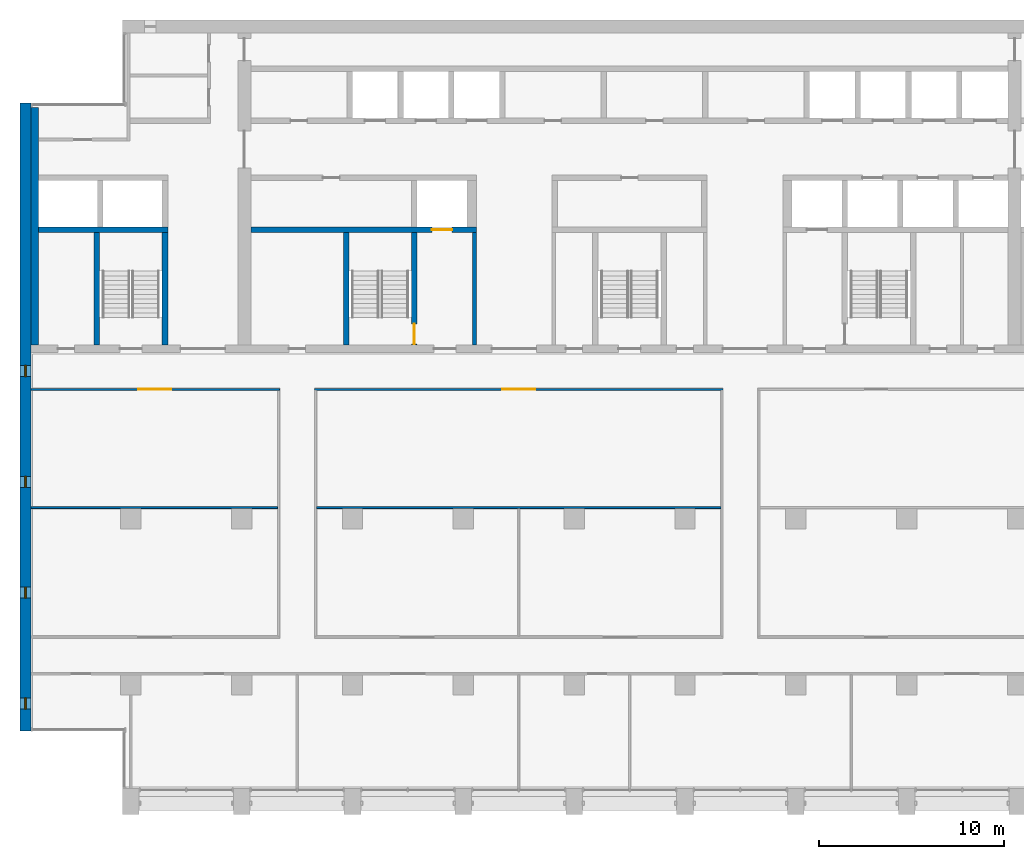
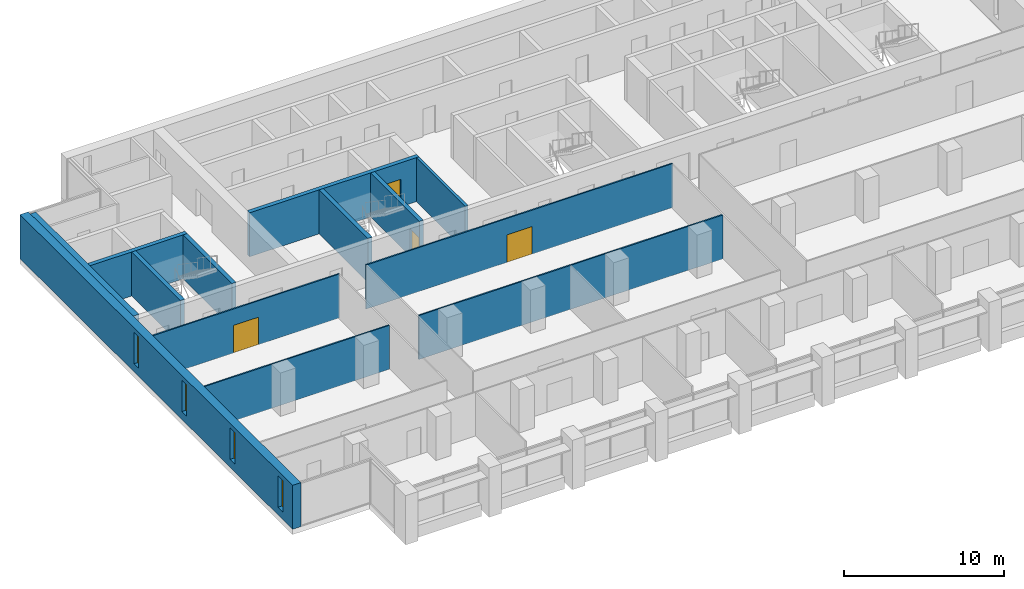
# One storey, part 8 of 17: 13 walls, 4 doors, 4 windows, 8 openings.
"""IFC4 building model written with IfcOpenShell, lengths in metres."""

import ifcopenshell
import ifcopenshell.guid

model = None  # the IFC model being written
_history = None  # IfcOwnerHistory: only IFC2X3 demands one
_inside = {}  # id of a spatial element -> (the spatial element, [elements in it])
_under = {}  # id of a project, library or spatial element -> (it, [spatial elements below it])
_declared = {}  # id of a project -> (the project, [libraries it declares])
_typed = {}  # id of a type object -> (the type object, [elements of that type])
_made_of = {}  # id of a material, layer set ... -> (it, [elements and type objects made of it])


def new_model(schema):
    """Start an empty IFC model of exactly this schema.

    Asked for "IFC4X3", IfcOpenShell would pick the latest addendum, in which some entities
    have other attributes; the version numbers below select the first issue.
    IFC2X3 requires an IfcOwnerHistory on every rooted entity: one is made here for all.
    """
    global model, _history
    if schema == "IFC4X3":
        model = ifcopenshell.file(schema_version=(4, 3, 0, 0))
    else:
        model = ifcopenshell.file(schema=schema)
    _inside.clear()
    _under.clear()
    _declared.clear()
    _typed.clear()
    _made_of.clear()
    _history = None
    if model.schema == "IFC2X3":
        org = make("IfcOrganization", Name="unknown")
        user = make(
            "IfcPersonAndOrganization",
            ThePerson=make("IfcPerson", FamilyName="unknown"),
            TheOrganization=org,
        )
        app = make(
            "IfcApplication",
            ApplicationDeveloper=org,
            Version="unknown",
            ApplicationFullName="unknown",
            ApplicationIdentifier="unknown",
        )
        _history = make(
            "IfcOwnerHistory",
            OwningUser=user,
            OwningApplication=app,
            ChangeAction="ADDED",
            CreationDate=0,
        )
    return model


def make(cls, **values):
    """One entity of the class cls with the attributes given. An attribute that is None is left unset."""
    return model.create_entity(
        cls, **{name: value for name, value in values.items() if value is not None}
    )


def rooted(cls, **values):
    """An entity with a GlobalId (a new one), such as an element, a storey or a relation."""
    return make(cls, GlobalId=ifcopenshell.guid.new(), OwnerHistory=_history, **values)


def si_unit(unit_type, name, prefix=None):
    """IfcSIUnit, for example si_unit("LENGTHUNIT", "METRE", prefix="MILLI")."""
    return make("IfcSIUnit", UnitType=unit_type, Prefix=prefix, Name=name)


def assignment(units):
    """IfcUnitAssignment: the units of a project."""
    return None if units is None else make("IfcUnitAssignment", Units=units)


def point(xyz):
    """IfcCartesianPoint."""
    return None if xyz is None else make("IfcCartesianPoint", Coordinates=xyz)


def direction(xyz):
    """IfcDirection."""
    return None if xyz is None else make("IfcDirection", DirectionRatios=xyz)


def frame(location, z_axis=None, x_axis=None):
    """IfcAxis2Placement3D, a coordinate frame: its origin and axes. An axis left out is left unset."""
    return make(
        "IfcAxis2Placement3D",
        Location=point(location),
        Axis=direction(z_axis),
        RefDirection=direction(x_axis),
    )


def frame_2d(location, x_axis=None):
    """IfcAxis2Placement2D, a coordinate frame in the plane: its origin and x axis."""
    return make(
        "IfcAxis2Placement2D", Location=point(location), RefDirection=direction(x_axis)
    )


def origin():
    """The frame at (0, 0, 0) with its axes left unset."""
    return frame((0.0, 0.0, 0.0))


def place(relative_to, where):
    """IfcLocalPlacement: puts the frame where relative to a parent placement (None: the world)."""
    return make(
        "IfcLocalPlacement", PlacementRelTo=relative_to, RelativePlacement=where
    )


def context(
    kind, dimensions, precision=None, world=None, true_north=None, identifier=None
):
    """IfcGeometricRepresentationContext, for example the 3D "Model" context."""
    return make(
        "IfcGeometricRepresentationContext",
        ContextIdentifier=identifier,
        ContextType=kind,
        CoordinateSpaceDimension=dimensions,
        Precision=precision,
        WorldCoordinateSystem=world,
        TrueNorth=true_north,
    )


def subcontext(parent, identifier, kind, view, scale=None):
    """IfcGeometricRepresentationSubContext, for example "Body" below "Model"."""
    return make(
        "IfcGeometricRepresentationSubContext",
        ContextIdentifier=identifier,
        ContextType=kind,
        ParentContext=parent,
        TargetScale=scale,
        TargetView=view,
    )


def project(units=None, contexts=None):
    """IfcProject with its units and contexts."""
    return rooted(
        "IfcProject",
        Name="project",
        RepresentationContexts=contexts,
        UnitsInContext=assignment(units),
    )


def spatial(cls, under=None, at=None, **own):
    """A site, building, storey or space (cls), placed at a placement, below another one or the project."""
    s = rooted(cls, ObjectPlacement=at, **own)
    if under is not None:
        _under.setdefault(under.id(), (under, []))[1].append(s)
    return s


def profile(cls, at=None, kind="AREA", **sizes):
    """A parametric profile (cls). Its sizes go by their IFC names, for example OverallWidth=200.0."""
    return make(cls, ProfileType=kind, Position=at, **sizes)


def rectangle(**sizes):
    """IfcRectangleProfileDef."""
    return profile("IfcRectangleProfileDef", **sizes)


def extrude(swept, where, along, depth):
    """IfcExtrudedAreaSolid: the profile swept, set in the frame where, extruded along a direction by depth."""
    return make(
        "IfcExtrudedAreaSolid",
        SweptArea=swept,
        Position=where,
        ExtrudedDirection=direction(along),
        Depth=depth,
    )


def shape(context_of_items, identifier, shape_type, items):
    """IfcShapeRepresentation: the items that make up one representation, for example the "Body"."""
    return make(
        "IfcShapeRepresentation",
        ContextOfItems=context_of_items,
        RepresentationIdentifier=identifier,
        RepresentationType=shape_type,
        Items=items,
    )


def material(Name=None, Category=None):
    """IfcMaterial."""
    return make("IfcMaterial", Name=Name, Category=Category)


def layer(
    of_material, thickness, ventilated=None, Name=None, Category=None, Priority=None
):
    """IfcMaterialLayer: one layer of a wall or slab, of a material (None: an air gap)."""
    return make(
        "IfcMaterialLayer",
        Material=of_material,
        LayerThickness=thickness,
        IsVentilated=ventilated,
        Name=Name,
        Category=Category,
        Priority=Priority,
    )


def layer_set(layers, Name=None):
    """IfcMaterialLayerSet."""
    return make("IfcMaterialLayerSet", MaterialLayers=layers, LayerSetName=Name)


def made_of(thing, what):
    """Note that an element or type object is made of a material, layer set ...; save() writes the relation."""
    if what is not None:
        _made_of.setdefault(what.id(), (what, []))[1].append(thing)
    return thing


def type_object(cls, material=None, **own):
    """A type object (cls), such as IfcWallType, which elements share."""
    return made_of(rooted(cls, **own), material)


def element(
    cls,
    number,
    at=None,
    inside=None,
    cuts=None,
    type_object=None,
    material=None,
    context=None,
    identifier="Body",
    shape_type=None,
    held_by="IfcProductDefinitionShape",
    body=None,
    shapes=None,
    **own,
):
    """One element of the class cls, such as IfcWall. Its Tag is "e" and its number.

    at: its placement. inside: the storey or other place that contains it. cuts: it is an
    opening in that element (IfcRelVoidsElement). A single representation is given by context,
    identifier, shape_type and body (its items); several are given by shapes. held_by: the class
    of the entity that holds the representations. save() writes the other relations.
    """
    e = rooted(cls, Tag="e%d" % number, ObjectPlacement=at, **own)
    if body is not None:
        shapes = [shape(context, identifier, shape_type, body)]
    if shapes is not None:
        e.Representation = make(held_by, Representations=shapes)
    if inside is not None:
        _inside.setdefault(inside.id(), (inside, []))[1].append(e)
    if cuts is not None:
        rooted(
            "IfcRelVoidsElement", RelatingBuildingElement=cuts, RelatedOpeningElement=e
        )
    if type_object is not None:
        _typed.setdefault(type_object.id(), (type_object, []))[1].append(e)
    return made_of(e, material)


def fill(opening, filler):
    """IfcRelFillsElement: the door or window that sits in an opening."""
    return rooted(
        "IfcRelFillsElement",
        RelatingOpeningElement=opening,
        RelatedBuildingElement=filler,
    )


def aggregate(whole, parts):
    """IfcRelAggregates: a whole, such as a stair, and the parts it consists of."""
    return rooted("IfcRelAggregates", RelatingObject=whole, RelatedObjects=parts)


def save(model, path):
    """Write the relations noted so far, then the file.

    IfcRelAggregates (storeys below a building ...), IfcRelContainedInSpatialStructure (elements
    in a storey), IfcRelDefinesByType, IfcRelAssociatesMaterial and IfcRelDeclares: one each for
    every whole, place, type object, material and project.
    """
    for whole, parts in _under.values():
        aggregate(whole, parts)
    for where, things in _inside.values():
        rooted(
            "IfcRelContainedInSpatialStructure",
            RelatedElements=things,
            RelatingStructure=where,
        )
    for kind, things in _typed.values():
        rooted("IfcRelDefinesByType", RelatedObjects=things, RelatingType=kind)
    for what, things in _made_of.values():
        rooted("IfcRelAssociatesMaterial", RelatedObjects=things, RelatingMaterial=what)
    for by, libraries in _declared.values():
        rooted("IfcRelDeclares", RelatingContext=by, RelatedDefinitions=libraries)
    model.write(path)


model = new_model("IFC4")

# Units and contexts
model_context = context("Model", 3, precision=1e-05, world=origin(), true_north=direction((0.0, 1.0)))
body_context = subcontext(model_context, "Body", "Model", "MODEL_VIEW")
ifc_project = project(units=[si_unit("LENGTHUNIT", "METRE"), si_unit("AREAUNIT", "SQUARE_METRE"), si_unit("VOLUMEUNIT", "CUBIC_METRE"), si_unit("PLANEANGLEUNIT", "RADIAN"), si_unit("MASSUNIT", "GRAM", prefix="KILO")], contexts=[model_context])

# Site, building, storey
site_placement = place(None, origin())
site = spatial("IfcSite", under=ifc_project, at=site_placement, CompositionType="ELEMENT")
building_placement = place(site_placement, origin())
building = spatial("IfcBuilding", under=site, at=building_placement, Name="Calvaro Tower", CompositionType="ELEMENT")
storey_placement = place(building_placement, frame((0.0, 0.0, 196.75)))
storey = spatial("IfcBuildingStorey", under=building, at=storey_placement, Name="L49", CompositionType="ELEMENT", Elevation=196.75)

# Walls
ifc_material_1 = material(Name="Blockwork partition", Category="masonry")
ifc_layer_1 = layer(ifc_material_1, 0.199951171875)
ifc_layer_set_1 = layer_set([ifc_layer_1], Name="Blockwork partition")
wall_type_1 = type_object("IfcWallType", Name="Core partition 200 REI 120", PredefinedType="PARTITIONING", material=ifc_layer_set_1)
wall_1_placement = place(storey_placement, frame((30.60009765625, 28.39990234375, 0.0), z_axis=(0.0, 0.0, 1.0), x_axis=(0.0, 1.0, 0.0)))
element("IfcWall", 1, at=wall_1_placement, inside=storey, type_object=wall_type_1, Name="Core partition", PredefinedType="PARTITIONING", context=body_context, shape_type="SweptSolid", body=[
    extrude(rectangle(XDim=6.10009765625, YDim=0.199951171875, at=frame_2d((3.050048828125, 0.0))), origin(), (0.0, 0.0, 1.0), 3.35009765625),
])
ifc_material_2 = material(Name="Concrete C50/60", Category="concrete")
ifc_layer_2 = layer(ifc_material_2, 0.300048828125)
ifc_layer_set_2 = layer_set([ifc_layer_2], Name="Concrete C50/60")
wall_type_2 = type_object("IfcWallType", Name="Core wall C50/60 300", PredefinedType="SHEAR", material=ifc_layer_set_2)
for number, where, z_axis, x_axis, name in (
    (2, (10.14990234375, 28.39990234375, 0.0), (0.0, 0.0, 1.0), (0.0, 1.0, 0.0), "Core wall, stair enclosure"),
    (3, (13.85009765625, 28.39990234375, 0.0), (0.0, 0.0, 1.0), (0.0, 1.0, 0.0), "Core wall, stair enclosure"),
    (4, (23.64990234375, 28.39990234375, 0.0), (0.0, 0.0, 1.0), (0.0, 1.0, 0.0), "Core wall, stair enclosure"),
):
    element("IfcWall", number, at=place(storey_placement, frame(where, z_axis=z_axis, x_axis=x_axis)), inside=storey, type_object=wall_type_2, Name=name, PredefinedType="SHEAR", context=body_context, shape_type="SweptSolid", body=[
        extrude(rectangle(XDim=6.10009765625, YDim=0.300048828125, at=frame_2d((3.050048828125, 0.0))), origin(), (0.0, 0.0, 1.0), 3.35009765625),
    ])

# Wall, opening, door
wall_2_placement = place(storey_placement, frame((27.35009765625, 28.39990234375, 0.0), z_axis=(0.0, 0.0, 1.0), x_axis=(0.0, 1.0, 0.0)))
wall_2 = element("IfcWall", 5, at=wall_2_placement, inside=storey, type_object=wall_type_2, Name="Core wall, stair enclosure", PredefinedType="SHEAR", context=body_context, shape_type="SweptSolid", body=[
    extrude(rectangle(XDim=6.10009765625, YDim=0.300048828125, at=frame_2d((3.050048828125, 0.0))), origin(), (0.0, 0.0, 1.0), 3.35009765625),
])
opening_1_placement = place(wall_2_placement, frame((0.050048828125, 0.0, 0.0)))
opening_1 = element("IfcOpeningElement", 6, at=opening_1_placement, cuts=wall_2, Name="Opening FD11D", PredefinedType="OPENING", context=body_context, shape_type="SweptSolid", body=[
    extrude(rectangle(XDim=1.10009765625, YDim=2.10009765625, at=frame_2d((0.550048828125, 1.050048828125))), frame((0.0, 0.159912109375, 0.0), z_axis=(0.0, -1.0, 0.0), x_axis=(1.0, 0.0, 0.0)), (0.0, 0.0, 1.0), 0.320068359375),
])
ifc_material_3 = material(Name="Steel door set", Category="steel")
door_type_1 = type_object("IfcDoorType", Name="Fire door 1100 FD30S", OperationType="SINGLE_SWING_LEFT", PredefinedType="DOOR", material=ifc_material_3)
door_1_placement = place(opening_1_placement, origin())
door_1 = element("IfcDoor", 7, at=door_1_placement, inside=storey, type_object=door_type_1, Name="Fire door", OperationType="SINGLE_SWING_LEFT", OverallHeight=2.10009765625, OverallWidth=1.10009765625, PredefinedType="DOOR", context=body_context, shape_type="SweptSolid", body=[
    extrude(rectangle(XDim=1.10009765625, YDim=2.10009765625, at=frame_2d((0.550048828125, 1.050048828125))), frame((0.0, 0.02490234375, 0.0), z_axis=(0.0, -1.0, 0.0), x_axis=(1.0, 0.0, 0.0)), (0.0, 0.0, 1.0), 0.050048828125),
])
fill(opening_1, door_1)

# Wall
wall_3_placement = place(storey_placement, frame((7.0, 34.64990234375, 0.0), z_axis=(0.0, 0.0, 1.0), x_axis=(1.0, 0.0, 0.0)))
element("IfcWall", 8, at=wall_3_placement, inside=storey, type_object=wall_type_2, Name="Core wall, lift shaft", PredefinedType="SHEAR", context=body_context, shape_type="SweptSolid", body=[
    extrude(rectangle(XDim=7.0, YDim=0.300048828125, at=frame_2d((3.5, 0.0))), origin(), (0.0, 0.0, 1.0), 3.35009765625),
])

# Wall, opening, door
wall_4_placement = place(storey_placement, frame((18.5, 34.64990234375, 0.0), z_axis=(0.0, 0.0, 1.0), x_axis=(1.0, 0.0, 0.0)))
wall_4 = element("IfcWall", 9, at=wall_4_placement, inside=storey, type_object=wall_type_2, Name="Core wall, lift shaft", PredefinedType="SHEAR", context=body_context, shape_type="SweptSolid", body=[
    extrude(rectangle(XDim=12.199951171875, YDim=0.300048828125, at=frame_2d((6.10009765625, 0.0))), origin(), (0.0, 0.0, 1.0), 3.35009765625),
])
opening_2_placement = place(wall_4_placement, frame((9.800048828125, 0.0, 0.0)))
opening_2 = element("IfcOpeningElement", 10, at=opening_2_placement, cuts=wall_4, Name="Opening FF1", PredefinedType="OPENING", context=body_context, shape_type="SweptSolid", body=[
    extrude(rectangle(XDim=1.10009765625, YDim=2.10009765625, at=frame_2d((0.550048828125, 1.050048828125))), frame((0.0, 0.159912109375, 0.0), z_axis=(0.0, -1.0, 0.0), x_axis=(1.0, 0.0, 0.0)), (0.0, 0.0, 1.0), 0.320068359375),
])
ifc_material_4 = material(Name="Stainless steel", Category="steel")
door_type_2 = type_object("IfcDoorType", Name="Landing door 1100 E 60", OperationType="SLIDING_TO_LEFT", PredefinedType="DOOR", material=ifc_material_4)
door_2_placement = place(opening_2_placement, origin())
door_2 = element("IfcDoor", 11, at=door_2_placement, inside=storey, type_object=door_type_2, Name="Landing door FF1", OperationType="SLIDING_TO_LEFT", OverallHeight=2.10009765625, OverallWidth=1.10009765625, PredefinedType="DOOR", context=body_context, shape_type="SweptSolid", body=[
    extrude(rectangle(XDim=1.10009765625, YDim=2.10009765625, at=frame_2d((0.550048828125, 1.050048828125))), frame((0.0, 0.02490234375, 0.0), z_axis=(0.0, -1.0, 0.0), x_axis=(1.0, 0.0, 0.0)), (0.0, 0.0, 1.0), 0.050048828125),
])
fill(opening_2, door_2)

# Wall
ifc_material_5 = material(Name="Concrete C50/60", Category="concrete")
ifc_layer_3 = layer(ifc_material_5, 0.39990234375)
ifc_layer_set_3 = layer_set([ifc_layer_3], Name="Concrete C50/60")
wall_type_3 = type_object("IfcWallType", Name="Core wall C50/60 400", PredefinedType="SHEAR", material=ifc_layer_set_3)
wall_5_placement = place(storey_placement, frame((6.800048828125, 28.39990234375, 0.0), z_axis=(0.0, 0.0, 1.0), x_axis=(0.0, 1.0, 0.0)))
element("IfcWall", 12, at=wall_5_placement, inside=storey, type_object=wall_type_3, Name="Core wall, boundary", PredefinedType="SHEAR", context=body_context, shape_type="SweptSolid", body=[
    extrude(rectangle(XDim=12.85009765625, YDim=0.39990234375, at=frame_2d((6.425048828125, 0.0))), origin(), (0.0, 0.0, 1.0), 3.35009765625),
])

# Wall, openings, windows
ifc_material_6 = material(Name="Concrete C50/60", Category="concrete")
ifc_layer_4 = layer(ifc_material_6, 0.60009765625)
ifc_layer_set_4 = layer_set([ifc_layer_4], Name="Concrete C50/60")
wall_type_4 = type_object("IfcWallType", Name="End wall 600 C50/60", PredefinedType="SHEAR", material=ifc_layer_set_4)
wall_6_placement = place(storey_placement, frame((6.300048828125, 7.5, 0.0), z_axis=(0.0, 0.0, 1.0), x_axis=(0.0, 1.0, 0.0)))
wall_6 = element("IfcWall", 13, at=wall_6_placement, inside=storey, type_object=wall_type_4, Name="End shear wall", PredefinedType="SHEAR", context=body_context, shape_type="SweptSolid", body=[
    extrude(rectangle(XDim=34.0, YDim=0.60009765625, at=frame_2d((17.0, 0.0))), origin(), (0.0, 0.0, 1.0), 3.35009765625),
])
opening_3_placement = place(wall_6_placement, frame((1.199951171875, 0.0, 0.60009765625)))
opening_3 = element("IfcOpeningElement", 14, at=opening_3_placement, cuts=wall_6, Name="Opening WW01", PredefinedType="OPENING", context=body_context, shape_type="SweptSolid", body=[
    extrude(rectangle(XDim=0.60009765625, YDim=2.39990234375, at=frame_2d((0.300048828125, 1.199951171875))), frame((0.0, 0.31005859375, 0.0), z_axis=(0.0, -1.0, 0.0), x_axis=(1.0, 0.0, 0.0)), (0.0, 0.0, 1.0), 0.6201171875),
])
opening_4_placement = place(wall_6_placement, frame((7.199951171875, 0.0, 0.60009765625)))
opening_4 = element("IfcOpeningElement", 15, at=opening_4_placement, cuts=wall_6, Name="Opening WW02", PredefinedType="OPENING", context=body_context, shape_type="SweptSolid", body=[
    extrude(rectangle(XDim=0.60009765625, YDim=2.39990234375, at=frame_2d((0.300048828125, 1.199951171875))), frame((0.0, 0.31005859375, 0.0), z_axis=(0.0, -1.0, 0.0), x_axis=(1.0, 0.0, 0.0)), (0.0, 0.0, 1.0), 0.6201171875),
])
opening_5_placement = place(wall_6_placement, frame((13.199951171875, 0.0, 0.60009765625)))
opening_5 = element("IfcOpeningElement", 16, at=opening_5_placement, cuts=wall_6, Name="Opening WW03", PredefinedType="OPENING", context=body_context, shape_type="SweptSolid", body=[
    extrude(rectangle(XDim=0.60009765625, YDim=2.39990234375, at=frame_2d((0.300048828125, 1.199951171875))), frame((0.0, 0.31005859375, 0.0), z_axis=(0.0, -1.0, 0.0), x_axis=(1.0, 0.0, 0.0)), (0.0, 0.0, 1.0), 0.6201171875),
])
opening_6_placement = place(wall_6_placement, frame((19.199951171875, 0.0, 0.60009765625)))
opening_6 = element("IfcOpeningElement", 17, at=opening_6_placement, cuts=wall_6, Name="Opening WW04", PredefinedType="OPENING", context=body_context, shape_type="SweptSolid", body=[
    extrude(rectangle(XDim=0.60009765625, YDim=2.39990234375, at=frame_2d((0.300048828125, 1.199951171875))), frame((0.0, 0.31005859375, 0.0), z_axis=(0.0, -1.0, 0.0), x_axis=(1.0, 0.0, 0.0)), (0.0, 0.0, 1.0), 0.6201171875),
])
ifc_material_7 = material(Name="Glass", Category="glass")
window_type = type_object("IfcWindowType", Name="Slit window 600 x 2400", PartitioningType="SINGLE_PANEL", PredefinedType="WINDOW", material=ifc_material_7)
window_1_placement = place(opening_3_placement, origin())
window_1 = element("IfcWindow", 18, at=window_1_placement, inside=storey, type_object=window_type, Name="Window WW01", OverallHeight=2.39990234375, OverallWidth=0.60009765625, PartitioningType="SINGLE_PANEL", PredefinedType="WINDOW", context=body_context, shape_type="SweptSolid", body=[
    extrude(rectangle(XDim=0.60009765625, YDim=2.39990234375, at=frame_2d((0.300048828125, 1.199951171875))), frame((0.0, 0.030029296875, 0.0), z_axis=(0.0, -1.0, 0.0), x_axis=(1.0, 0.0, 0.0)), (0.0, 0.0, 1.0), 0.06005859375),
])
fill(opening_3, window_1)
window_2_placement = place(opening_4_placement, origin())
window_2 = element("IfcWindow", 19, at=window_2_placement, inside=storey, type_object=window_type, Name="Window WW02", OverallHeight=2.39990234375, OverallWidth=0.60009765625, PartitioningType="SINGLE_PANEL", PredefinedType="WINDOW", context=body_context, shape_type="SweptSolid", body=[
    extrude(rectangle(XDim=0.60009765625, YDim=2.39990234375, at=frame_2d((0.300048828125, 1.199951171875))), frame((0.0, 0.030029296875, 0.0), z_axis=(0.0, -1.0, 0.0), x_axis=(1.0, 0.0, 0.0)), (0.0, 0.0, 1.0), 0.06005859375),
])
fill(opening_4, window_2)
window_3_placement = place(opening_5_placement, origin())
window_3 = element("IfcWindow", 20, at=window_3_placement, inside=storey, type_object=window_type, Name="Window WW03", OverallHeight=2.39990234375, OverallWidth=0.60009765625, PartitioningType="SINGLE_PANEL", PredefinedType="WINDOW", context=body_context, shape_type="SweptSolid", body=[
    extrude(rectangle(XDim=0.60009765625, YDim=2.39990234375, at=frame_2d((0.300048828125, 1.199951171875))), frame((0.0, 0.030029296875, 0.0), z_axis=(0.0, -1.0, 0.0), x_axis=(1.0, 0.0, 0.0)), (0.0, 0.0, 1.0), 0.06005859375),
])
fill(opening_5, window_3)
window_4_placement = place(opening_6_placement, origin())
window_4 = element("IfcWindow", 21, at=window_4_placement, inside=storey, type_object=window_type, Name="Window WW04", OverallHeight=2.39990234375, OverallWidth=0.60009765625, PartitioningType="SINGLE_PANEL", PredefinedType="WINDOW", context=body_context, shape_type="SweptSolid", body=[
    extrude(rectangle(XDim=0.60009765625, YDim=2.39990234375, at=frame_2d((0.300048828125, 1.199951171875))), frame((0.0, 0.030029296875, 0.0), z_axis=(0.0, -1.0, 0.0), x_axis=(1.0, 0.0, 0.0)), (0.0, 0.0, 1.0), 0.06005859375),
])
fill(opening_6, window_4)

# Walls
ifc_material_8 = material(Name="Plasterboard on steel studs", Category="steel")
ifc_layer_5 = layer(ifc_material_8, 0.10009765625)
ifc_layer_set_5 = layer_set([ifc_layer_5], Name="Plasterboard on steel studs")
wall_type_5 = type_object("IfcWallType", Name="Partition 100", PredefinedType="PARTITIONING", material=ifc_layer_set_5)
wall_7_placement = place(storey_placement, frame((6.60009765625, 19.60009765625, 0.0), z_axis=(0.0, 0.0, 1.0), x_axis=(1.0, 0.0, 0.0)))
element("IfcWall", 22, at=wall_7_placement, inside=storey, type_object=wall_type_5, Name="Partition T28.W005", PredefinedType="PARTITIONING", context=body_context, shape_type="SweptSolid", body=[
    extrude(rectangle(XDim=13.349853515625, YDim=0.10009765625, at=frame_2d((6.6748046875, 0.0))), origin(), (0.0, 0.0, 1.0), 3.35009765625),
])
wall_8_placement = place(storey_placement, frame((22.050048828125, 19.60009765625, 0.0), z_axis=(0.0, 0.0, 1.0), x_axis=(1.0, 0.0, 0.0)))
element("IfcWall", 23, at=wall_8_placement, inside=storey, type_object=wall_type_5, Name="Partition T28.W006", PredefinedType="PARTITIONING", context=body_context, shape_type="SweptSolid", body=[
    extrude(rectangle(XDim=21.89990234375, YDim=0.10009765625, at=frame_2d((10.949951171875, 0.0))), origin(), (0.0, 0.0, 1.0), 3.35009765625),
])

# Wall, opening, door
wall_9_placement = place(storey_placement, frame((6.60009765625, 26.0, 0.0), z_axis=(0.0, 0.0, 1.0), x_axis=(1.0, 0.0, 0.0)))
wall_9 = element("IfcWall", 24, at=wall_9_placement, inside=storey, type_object=wall_type_5, Name="Partition T28.W008", PredefinedType="PARTITIONING", context=body_context, shape_type="SweptSolid", body=[
    extrude(rectangle(XDim=13.449951171875, YDim=0.10009765625, at=frame_2d((6.72509765625, 0.0))), origin(), (0.0, 0.0, 1.0), 3.35009765625),
])
opening_7_placement = place(wall_9_placement, frame((5.800048828125, 0.0, 0.0)))
opening_7 = element("IfcOpeningElement", 25, at=opening_7_placement, cuts=wall_9, Name="Opening T28.013", PredefinedType="OPENING", context=body_context, shape_type="SweptSolid", body=[
    extrude(rectangle(XDim=1.800048828125, YDim=2.10009765625, at=frame_2d((0.89990234375, 1.050048828125))), frame((0.0, 0.06005859375, 0.0), z_axis=(0.0, -1.0, 0.0), x_axis=(1.0, 0.0, 0.0)), (0.0, 0.0, 1.0), 0.1201171875),
])
ifc_material_9 = material(Name="Timber", Category="wood")
door_type_3 = type_object("IfcDoorType", Name="Internal double door 1800 x 2100", OperationType="DOUBLE_DOOR_SINGLE_SWING", PredefinedType="DOOR", material=ifc_material_9)
door_3_placement = place(opening_7_placement, origin())
door_3 = element("IfcDoor", 26, at=door_3_placement, inside=storey, type_object=door_type_3, Name="Door T28.013", OperationType="DOUBLE_DOOR_SINGLE_SWING", OverallHeight=2.10009765625, OverallWidth=1.800048828125, PredefinedType="DOOR", context=body_context, shape_type="SweptSolid", body=[
    extrude(rectangle(XDim=1.800048828125, YDim=2.10009765625, at=frame_2d((0.89990234375, 1.050048828125))), frame((0.0, 0.02490234375, 0.0), z_axis=(0.0, -1.0, 0.0), x_axis=(1.0, 0.0, 0.0)), (0.0, 0.0, 1.0), 0.050048828125),
])
fill(opening_7, door_3)

wall_10_placement = place(storey_placement, frame((21.949951171875, 26.0, 0.0), z_axis=(0.0, 0.0, 1.0), x_axis=(1.0, 0.0, 0.0)))
wall_10 = element("IfcWall", 27, at=wall_10_placement, inside=storey, type_object=wall_type_5, Name="Partition T28.W009", PredefinedType="PARTITIONING", context=body_context, shape_type="SweptSolid", body=[
    extrude(rectangle(XDim=22.10009765625, YDim=0.10009765625, at=frame_2d((11.050048828125, 0.0))), origin(), (0.0, 0.0, 1.0), 3.35009765625),
])
opening_8_placement = place(wall_10_placement, frame((10.14990234375, 0.0, 0.0)))
opening_8 = element("IfcOpeningElement", 28, at=opening_8_placement, cuts=wall_10, Name="Opening T28.014", PredefinedType="OPENING", context=body_context, shape_type="SweptSolid", body=[
    extrude(rectangle(XDim=1.800048828125, YDim=2.10009765625, at=frame_2d((0.89990234375, 1.050048828125))), frame((0.0, 0.06005859375, 0.0), z_axis=(0.0, -1.0, 0.0), x_axis=(1.0, 0.0, 0.0)), (0.0, 0.0, 1.0), 0.1201171875),
])
door_4_placement = place(opening_8_placement, origin())
door_4 = element("IfcDoor", 29, at=door_4_placement, inside=storey, type_object=door_type_3, Name="Door T28.014", OperationType="DOUBLE_DOOR_SINGLE_SWING", OverallHeight=2.10009765625, OverallWidth=1.800048828125, PredefinedType="DOOR", context=body_context, shape_type="SweptSolid", body=[
    extrude(rectangle(XDim=1.800048828125, YDim=2.10009765625, at=frame_2d((0.89990234375, 1.050048828125))), frame((0.0, 0.02490234375, 0.0), z_axis=(0.0, -1.0, 0.0), x_axis=(1.0, 0.0, 0.0)), (0.0, 0.0, 1.0), 0.050048828125),
])
fill(opening_8, door_4)

save(model, "model.ifc")
